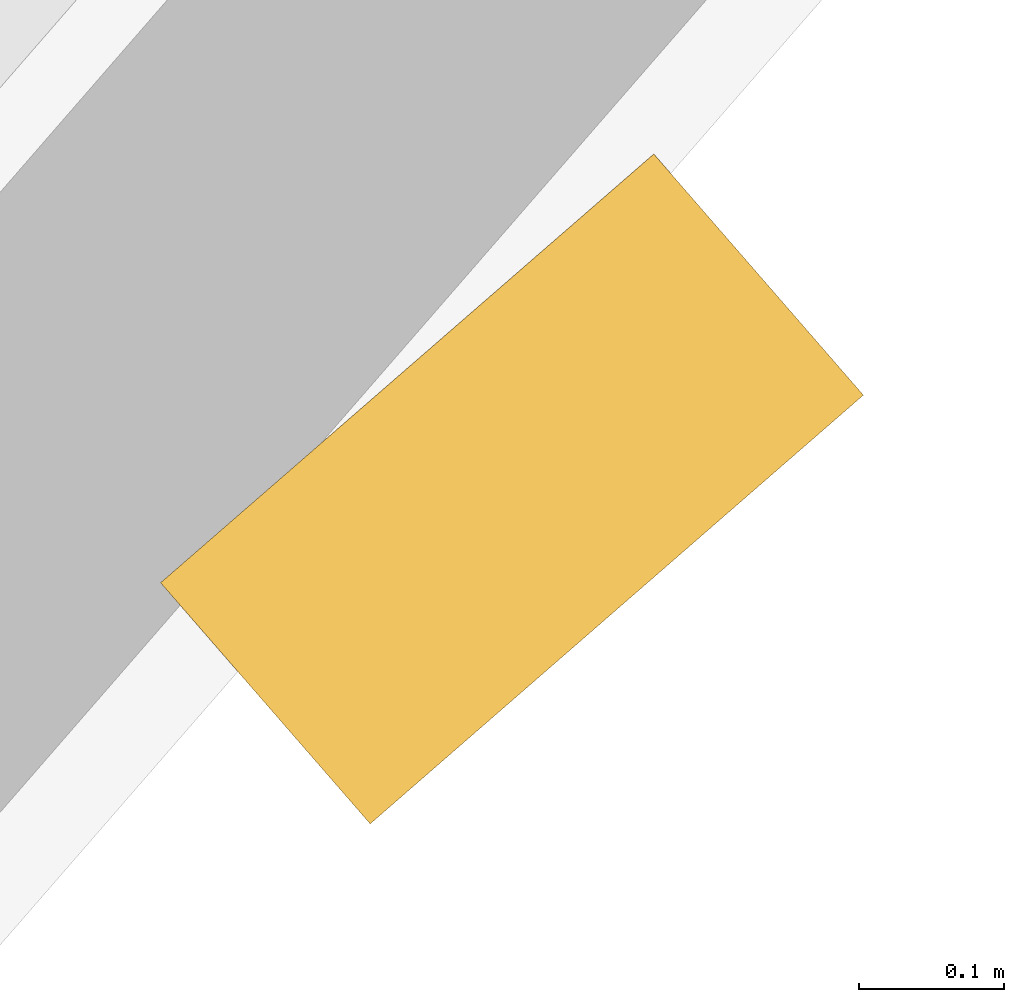
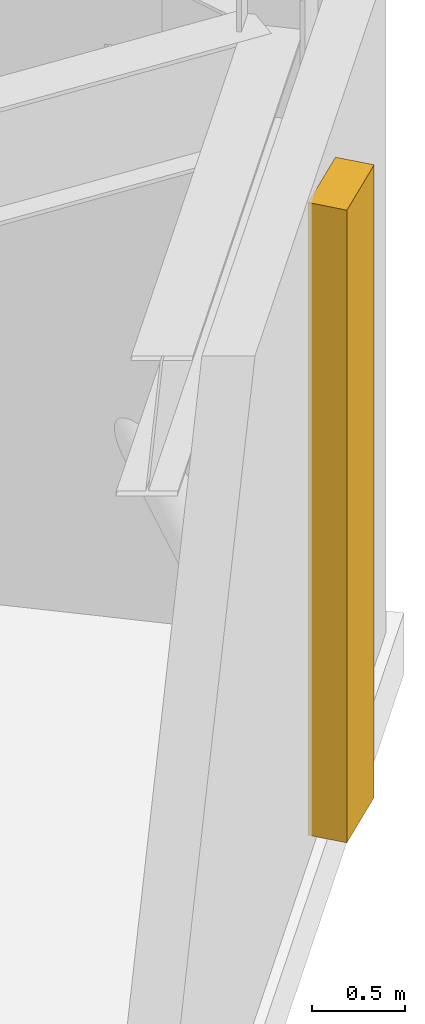
# One storey, part 15 of 15: 1 shading device.
"""IFC4 building model written with IfcOpenShell, lengths in metres."""

from ifc_helpers import new_model, si_unit, direction, frame, origin, origin_2d, place, context, subcontext, project, spatial, rectangle, extrude, material, type_object, element, save


model = new_model("IFC4")

# Units and contexts
model_context = context("Model", 3, precision=1e-05, world=origin(), true_north=direction((0.0, 1.0)))
body_context = subcontext(model_context, "Body", "Model", "MODEL_VIEW")
ifc_project = project(units=[si_unit("LENGTHUNIT", "METRE"), si_unit("AREAUNIT", "SQUARE_METRE"), si_unit("VOLUMEUNIT", "CUBIC_METRE"), si_unit("PLANEANGLEUNIT", "RADIAN"), si_unit("MASSUNIT", "GRAM", prefix="KILO")], contexts=[model_context])

# Site, building, storey
site_placement = place(None, origin())
site = spatial("IfcSite", under=ifc_project, at=site_placement, CompositionType="ELEMENT")
building_placement = place(site_placement, origin())
building = spatial("IfcBuilding", under=site, at=building_placement, Name="Apsidion Concourse Tower", CompositionType="ELEMENT")
storey_placement = place(building_placement, frame((0.0, 0.0, 260.89990234375)))
storey = spatial("IfcBuildingStorey", under=building, at=storey_placement, Name="L61", CompositionType="ELEMENT", Elevation=260.89990234375)

# Shading device
ifc_material = material(Name="Anodised aluminium EN AW-6063 T6", Category="aluminium")
shading_device_type = type_object("IfcShadingDeviceType", Name="SH-FIN-STONE", PredefinedType="USERDEFINED", material=ifc_material)
shading_device_placement = place(storey_placement, frame((27.4970703125, 4.681396484375, 0.10009765625), z_axis=(0.0, 0.0, 1.0), x_axis=(-0.656059028991, 0.754709580223, 0.0)))
element("IfcShadingDevice", 1, at=shading_device_placement, inside=storey, type_object=shading_device_type, Name="L61 Facade Vertical Solar Fin 5", ObjectType="FIN", PredefinedType="USERDEFINED", context=body_context, shape_type="SweptSolid", body=[
    extrude(rectangle(XDim=0.219970703125, YDim=0.449951171875, at=origin_2d()), origin(), (0.0, 0.0, 1.0), 4.14990234375),
])

save(model, "model.ifc")
